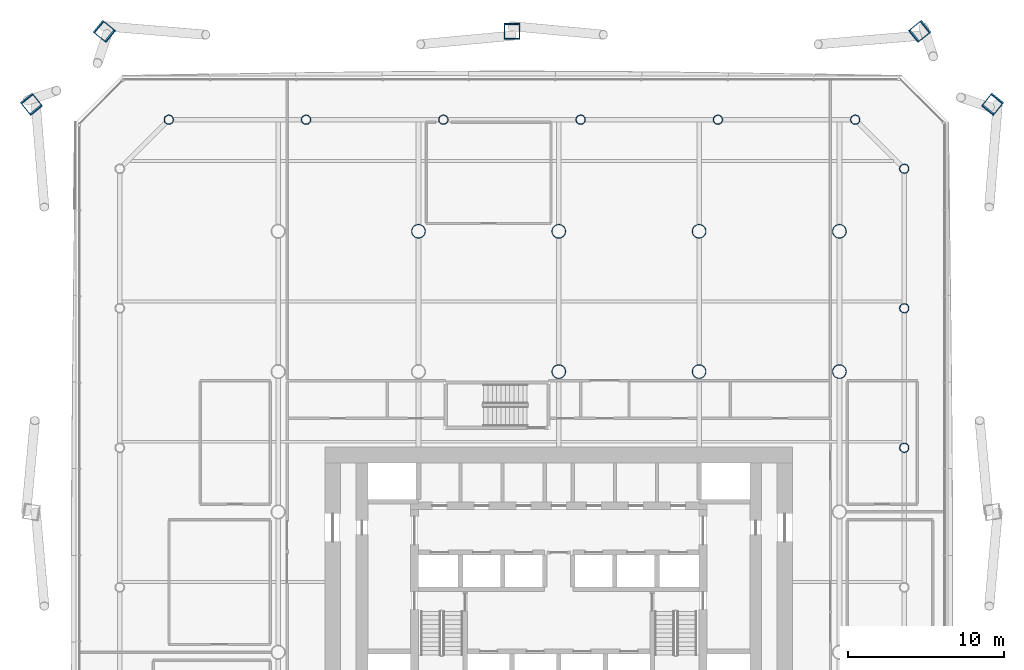
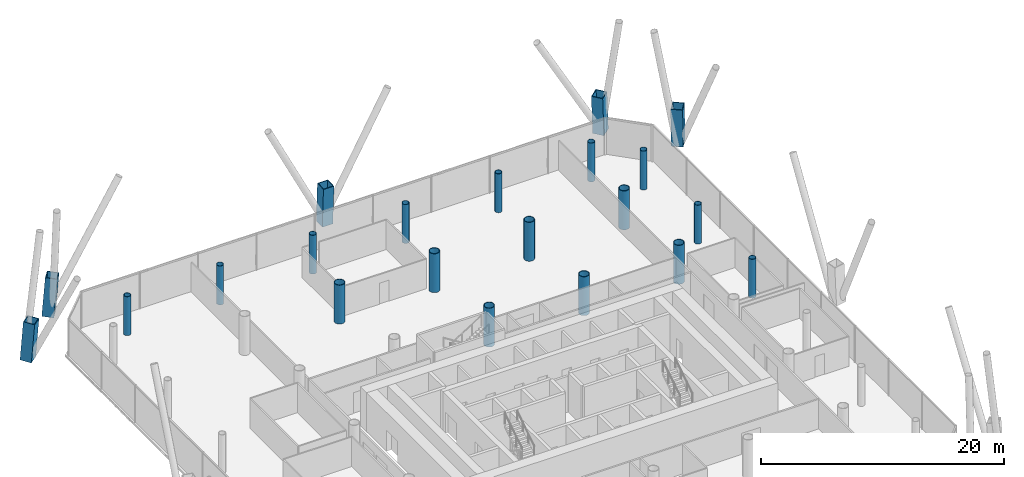
# One storey, part 2 of 25: 21 columns.
"""IFC4 building model written with IfcOpenShell, lengths in metres."""

from ifc_helpers import new_model, si_unit, direction, frame, origin, origin_2d, place, context, subcontext, project, spatial, hollow_rectangle, hollow_circle, extrude, material, material_profile, profile_set, type_object, element, save


model = new_model("IFC4")

# Units and contexts
model_context = context("Model", 3, precision=1e-05, world=origin(), true_north=direction((0.0, 1.0)))
body_context = subcontext(model_context, "Body", "Model", "MODEL_VIEW")
ifc_project = project(units=[si_unit("LENGTHUNIT", "METRE"), si_unit("AREAUNIT", "SQUARE_METRE"), si_unit("VOLUMEUNIT", "CUBIC_METRE"), si_unit("PLANEANGLEUNIT", "RADIAN"), si_unit("MASSUNIT", "GRAM", prefix="KILO")], contexts=[model_context])

# Site, building, storey
site_placement = place(None, origin())
site = spatial("IfcSite", under=ifc_project, at=site_placement, CompositionType="ELEMENT")
building_placement = place(site_placement, origin())
building = spatial("IfcBuilding", under=site, at=building_placement, Name="Tskaro Facet Tower", CompositionType="ELEMENT")
storey_placement = place(building_placement, frame((0.0, 0.0, 10.800048828125)))
storey = spatial("IfcBuildingStorey", under=building, at=storey_placement, Name="L01", CompositionType="ELEMENT", Elevation=10.800048828125)

# Columns
ifc_material_1 = material(Name="Steel S460M", Category="steel")
ifc_material_profile_1 = material_profile(ifc_material_1, hollow_rectangle(XDim=1.0, YDim=1.0, WallThickness=0.06005859375, at=origin_2d()), Name="BOX 1000x1000x60")
ifc_profile_set_1 = profile_set([ifc_material_profile_1], Name="Steel S460M")
column_type_1 = type_object("IfcColumnType", Name="BOX 1000x1000x60 mega column", PredefinedType="COLUMN", material=ifc_profile_set_1)
for number, where, z_axis, x_axis, name in (
    (1, (27.85009765625, 26.180908203125, 0.0), (-0.046820692333, -0.057995230903, 0.997218319107), (0.778082876381, -0.628161633246, 0.0), "BOX 1000x1000x60 MC06/1"),
    (2, (23.180908203125, 30.85009765625, 0.0), (-0.057995230903, -0.046820692333, 0.997218319107), (0.628161633246, -0.778082876381, 0.0), "BOX 1000x1000x60 MC07/1"),
):
    element("IfcColumn", number, at=place(storey_placement, frame(where, z_axis=z_axis, x_axis=x_axis)), inside=storey, type_object=column_type_1, Name=name, PredefinedType="COLUMN", context=body_context, shape_type="SweptSolid", body=[
        extrude(hollow_rectangle(XDim=1.0, YDim=1.0, WallThickness=0.06005859375, at=origin_2d()), origin(), (0.0, 0.0, 1.0), 3.910888671875),
    ])
column_placement = place(storey_placement, frame((-3.0, 30.85009765625, 0.0), z_axis=(0.0, -0.046899630973, 0.998899606875), x_axis=(1.0, 0.0, 0.0)))
element("IfcColumn", 3, at=column_placement, inside=storey, type_object=column_type_1, Name="BOX 1000x1000x60 MC08/1", PredefinedType="COLUMN", context=body_context, shape_type="SweptSolid", body=[
    extrude(hollow_rectangle(XDim=1.0, YDim=1.0, WallThickness=0.06005859375, at=origin_2d()), origin(), (0.0, 0.0, 1.0), 3.904296875),
])
for number, where, z_axis, x_axis, name in (
    (4, (-29.180908203125, 30.85009765625, 0.0), (0.057995230903, -0.046820692333, 0.997218319107), (0.628161633246, 0.778082876381, 0.0), "BOX 1000x1000x60 MC09/1"),
    (5, (-33.85009765625, 26.180908203125, 0.0), (0.046820692333, -0.057995230903, 0.997218319107), (0.778082876381, 0.628161633246, 0.0), "BOX 1000x1000x60 MC10/1"),
):
    element("IfcColumn", number, at=place(storey_placement, frame(where, z_axis=z_axis, x_axis=x_axis)), inside=storey, type_object=column_type_1, Name=name, PredefinedType="COLUMN", context=body_context, shape_type="SweptSolid", body=[
        extrude(hollow_rectangle(XDim=1.0, YDim=1.0, WallThickness=0.06005859375, at=origin_2d()), origin(), (0.0, 0.0, 1.0), 3.910888671875),
    ])
ifc_material_2 = material(Name="Steel S355J2H", Category="steel")
ifc_material_profile_2 = material_profile(ifc_material_2, hollow_circle(Radius=0.304931640625, WallThickness=0.030029296875, at=origin_2d()), Name="CHS 610x30")
ifc_profile_set_2 = profile_set([ifc_material_profile_2], Name="Steel S355J2H")
column_type_2 = type_object("IfcColumnType", Name="CHS 610x30 ring column", PredefinedType="COLUMN", material=ifc_profile_set_2)
for number, where, z_axis, x_axis, name in (
    (6, (22.156982421875, 4.115966796875, 0.0), (0.0, 0.0, 1.0), (1.0, 0.0, 0.0), "CHS 610x30 RE-4/1"),
    (7, (22.156982421875, 13.06396484375, 0.0), (0.0, 0.0, 1.0), (1.0, 0.0, 0.0), "CHS 610x30 RE-5/1"),
    (8, (22.156982421875, 22.011962890625, 0.0), (0.0, 0.0, 1.0), (1.0, 0.0, 0.0), "CHS 610x30 RNE-1/1"),
    (9, (19.011962890625, 25.156982421875, 0.0), (0.0, 0.0, 1.0), (1.0, 0.0, 0.0), "CHS 610x30 RN-1/1"),
    (10, (10.20703125, 25.156982421875, 0.0), (0.0, 0.0, 1.0), (1.0, 0.0, 0.0), "CHS 610x30 RN-2/1"),
    (11, (1.402099609375, 25.156982421875, 0.0), (0.0, 0.0, 1.0), (1.0, 0.0, 0.0), "CHS 610x30 RN-3/1"),
    (12, (-7.402099609375, 25.156982421875, 0.0), (0.0, 0.0, 1.0), (1.0, 0.0, 0.0), "CHS 610x30 RN-4/1"),
    (13, (-16.20703125, 25.156982421875, 0.0), (0.0, 0.0, 1.0), (1.0, 0.0, 0.0), "CHS 610x30 RN-5/1"),
    (14, (-25.011962890625, 25.156982421875, 0.0), (0.0, 0.0, 1.0), (1.0, 0.0, 0.0), "CHS 610x30 RNW-1/1"),
):
    element("IfcColumn", number, at=place(storey_placement, frame(where, z_axis=z_axis, x_axis=x_axis)), inside=storey, type_object=column_type_2, Name=name, PredefinedType="COLUMN", context=body_context, shape_type="SweptSolid", body=[
        extrude(hollow_circle(Radius=0.304931640625, WallThickness=0.030029296875, at=origin_2d()), origin(), (0.0, 0.0, 1.0), 3.89990234375),
    ])
ifc_material_profile_3 = material_profile(ifc_material_2, hollow_circle(Radius=0.457275390625, WallThickness=0.050048828125, at=origin_2d()), Name="CHS 914.4x50")
ifc_profile_set_3 = profile_set([ifc_material_profile_3], Name="Steel S355J2H")
column_type_3 = type_object("IfcColumnType", Name="CHS 914.4x50 interior column", PredefinedType="COLUMN", material=ifc_profile_set_3)
for number, where, z_axis, x_axis, name in (
    (15, (-9.0, 18.0, 0.0), (0.0, 0.0, 1.0), (1.0, 0.0, 0.0), "CHS 914.4x50 C3F/1"),
    (16, (0.0, 9.0, 0.0), (0.0, 0.0, 1.0), (1.0, 0.0, 0.0), "CHS 914.4x50 C4E/1"),
    (17, (0.0, 18.0, 0.0), (0.0, 0.0, 1.0), (1.0, 0.0, 0.0), "CHS 914.4x50 C4F/1"),
    (18, (9.0, 9.0, 0.0), (0.0, 0.0, 1.0), (1.0, 0.0, 0.0), "CHS 914.4x50 C5E/1"),
    (19, (9.0, 18.0, 0.0), (0.0, 0.0, 1.0), (1.0, 0.0, 0.0), "CHS 914.4x50 C5F/1"),
    (20, (18.0, 9.0, 0.0), (0.0, 0.0, 1.0), (1.0, 0.0, 0.0), "CHS 914.4x50 C6E/1"),
    (21, (18.0, 18.0, 0.0), (0.0, 0.0, 1.0), (1.0, 0.0, 0.0), "CHS 914.4x50 C6F/1"),
):
    element("IfcColumn", number, at=place(storey_placement, frame(where, z_axis=z_axis, x_axis=x_axis)), inside=storey, type_object=column_type_3, Name=name, PredefinedType="COLUMN", context=body_context, shape_type="SweptSolid", body=[
        extrude(hollow_circle(Radius=0.457275390625, WallThickness=0.050048828125, at=origin_2d()), origin(), (0.0, 0.0, 1.0), 3.89990234375),
    ])

save(model, "model.ifc")
